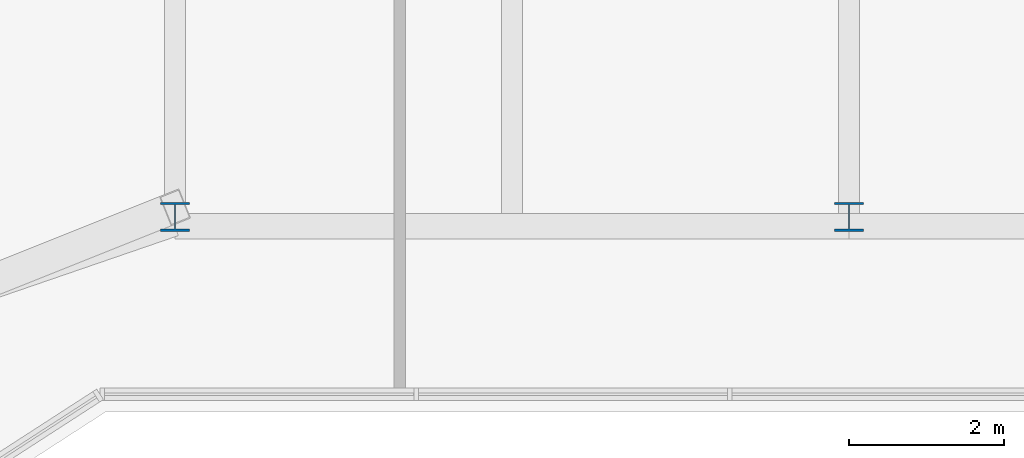
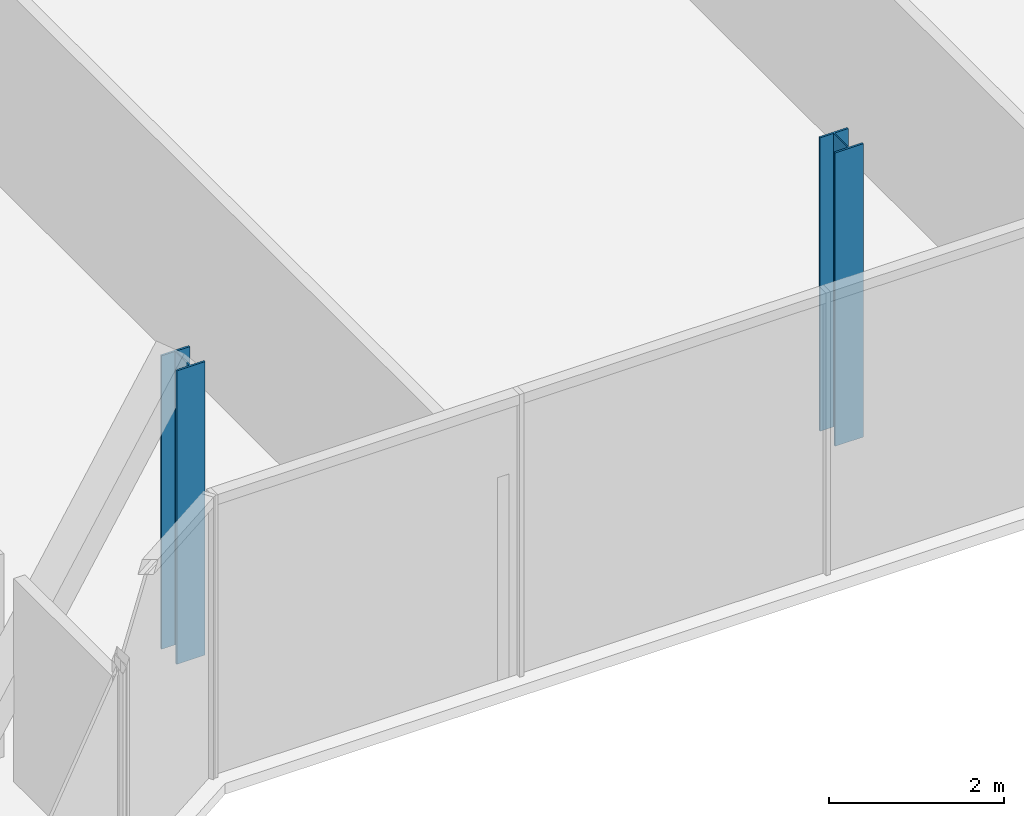
# One storey, part 2 of 20: 2 columns.
"""IFC4 building model written with IfcOpenShell, lengths in metres."""

from ifc_helpers import new_model, si_unit, direction, frame, origin, origin_2d, place, context, subcontext, project, spatial, i_section, extrude, material, material_profile, profile_set, type_object, element, save


model = new_model("IFC4")

# Units and contexts
model_context = context("Model", 3, precision=1e-05, world=origin(), true_north=direction((0.0, 1.0)))
body_context = subcontext(model_context, "Body", "Model", "MODEL_VIEW")
ifc_project = project(units=[si_unit("LENGTHUNIT", "METRE"), si_unit("AREAUNIT", "SQUARE_METRE"), si_unit("VOLUMEUNIT", "CUBIC_METRE"), si_unit("PLANEANGLEUNIT", "RADIAN"), si_unit("MASSUNIT", "GRAM", prefix="KILO")], contexts=[model_context])

# Site, building, storey
site_placement = place(None, origin())
site = spatial("IfcSite", under=ifc_project, at=site_placement, CompositionType="ELEMENT")
building_placement = place(site_placement, origin())
building = spatial("IfcBuilding", under=site, at=building_placement, Name="Bicima Exchange Tower", CompositionType="ELEMENT")
storey_placement = place(building_placement, frame((0.0, 0.0, 215.5)))
storey = spatial("IfcBuildingStorey", under=building, at=storey_placement, Name="L48", CompositionType="ELEMENT", Elevation=215.5)

# Columns
ifc_material = material(Name="Steel ASTM A992 Gr 50", Category="steel")
ifc_material_profile = material_profile(ifc_material, i_section(OverallWidth=0.373291015625, OverallDepth=0.373291015625, WebThickness=0.016357421875, FlangeThickness=0.026123046875, at=origin_2d()))
ifc_profile_set = profile_set([ifc_material_profile], Name="Steel ASTM A992 Gr 50")
column_type = type_object("IfcColumnType", Name="Perimeter column W14x132", PredefinedType="COLUMN", material=ifc_profile_set)
for number, where, z_axis, x_axis, name in (
    (1, (17.39990234375, -29.22998046875, 0.0), (0.0, 0.0, 1.0), (1.0, 0.0, 0.0), "Perimeter column grav+17.4f"),
    (2, (26.10009765625, -29.22998046875, 0.0), (0.0, 0.0, 1.0), (1.0, 0.0, 0.0), "Perimeter column grav+26.1f"),
):
    element("IfcColumn", number, at=place(storey_placement, frame(where, z_axis=z_axis, x_axis=x_axis)), inside=storey, type_object=column_type, Name=name, PredefinedType="COLUMN", context=body_context, shape_type="SweptSolid", body=[
        extrude(i_section(OverallWidth=0.373291015625, OverallDepth=0.373291015625, WebThickness=0.016357421875, FlangeThickness=0.026123046875, at=origin_2d()), origin(), (0.0, 0.0, 1.0), 4.10009765625),
    ])

save(model, "model.ifc")
